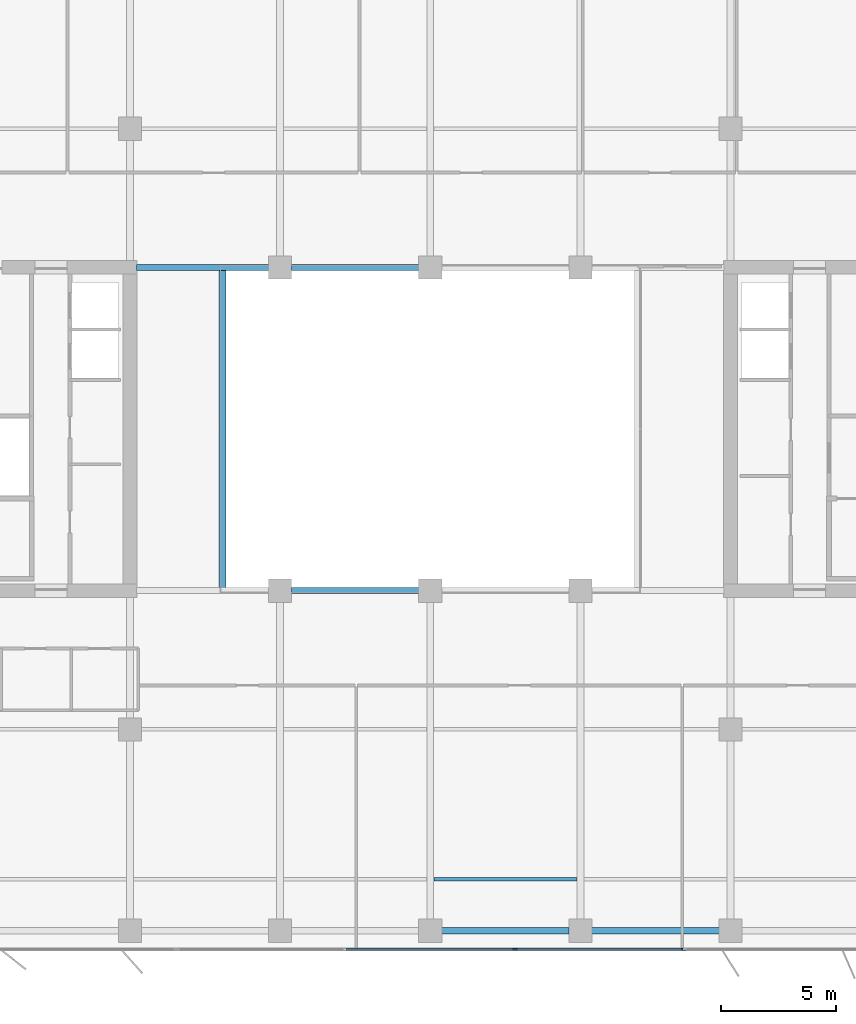
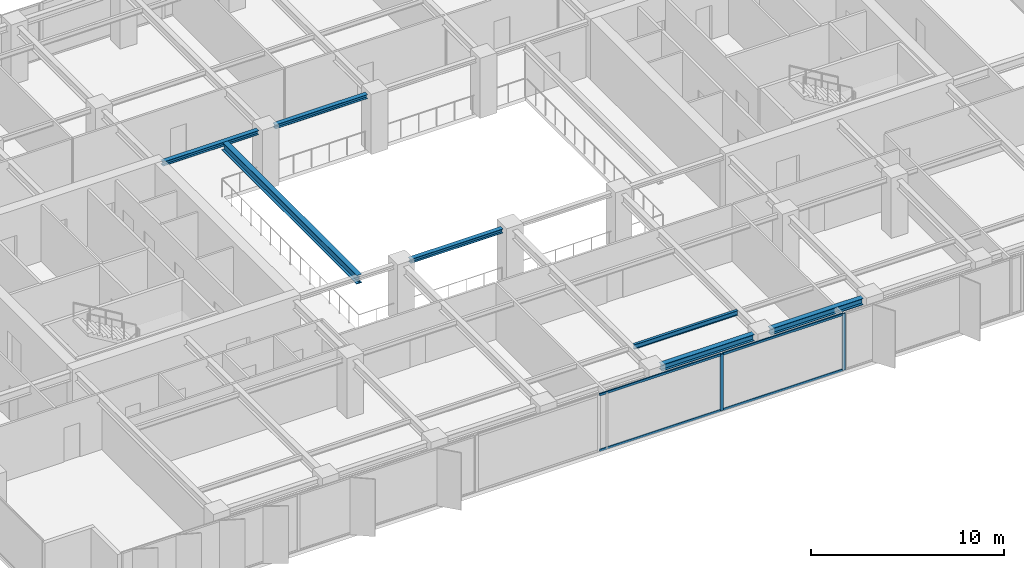
# One storey, part 5 of 22: 7 beams, 6 members, 1 element without a shape of its own.
"""IFC4 building model written with IfcOpenShell, lengths in metres."""

from ifc_helpers import new_model, si_unit, direction, frame, origin, origin_2d, place, context, subcontext, project, spatial, rectangle, i_section, extrude, material, layer, layer_set, material_profile, profile_set, type_object, element, aggregate, save


model = new_model("IFC4")

# Units and contexts
model_context = context("Model", 3, precision=1e-05, world=origin(), true_north=direction((0.0, 1.0)))
body_context = subcontext(model_context, "Body", "Model", "MODEL_VIEW")
ifc_project = project(units=[si_unit("LENGTHUNIT", "METRE"), si_unit("AREAUNIT", "SQUARE_METRE"), si_unit("VOLUMEUNIT", "CUBIC_METRE"), si_unit("PLANEANGLEUNIT", "RADIAN"), si_unit("MASSUNIT", "GRAM", prefix="KILO")], contexts=[model_context])

# Site, building, storey
site_placement = place(None, origin())
site = spatial("IfcSite", under=ifc_project, at=site_placement, CompositionType="ELEMENT")
building_placement = place(site_placement, origin())
building = spatial("IfcBuilding", under=site, at=building_placement, Name="Putna Gate Headquarters", CompositionType="ELEMENT")
storey_placement = place(building_placement, frame((0.0, 0.0, 151.800048828125)))
storey = spatial("IfcBuildingStorey", under=building, at=storey_placement, Name="L37", CompositionType="ELEMENT", Elevation=151.800048828125)

# Beams
ifc_material_1 = material(Name="Steel S355J2", Category="steel")
ifc_material_profile_1 = material_profile(ifc_material_1, i_section(OverallWidth=0.260009765625, OverallDepth=0.260009765625, WebThickness=0.010009765625, FlangeThickness=0.017578125, at=origin_2d()), Name="Steel S355J2")
ifc_profile_set_1 = profile_set([ifc_material_profile_1], Name="Steel S355J2")
beam_type_1 = type_object("IfcBeamType", Name="BM-ATRIUM-HEB260", PredefinedType="BEAM", material=ifc_profile_set_1)
beam_1_placement = place(storey_placement, frame((32.988037109375, 19.0, 3.44189453125), z_axis=(1.0, 0.0, 0.0), x_axis=(0.0, 1.0, 0.0)))
element("IfcBeam", 1, at=beam_1_placement, inside=storey, type_object=beam_type_1, Name="L37 Atrium Edge Beam AS2", PredefinedType="BEAM", context=body_context, shape_type="SweptSolid", body=[
    extrude(i_section(OverallWidth=0.260009765625, OverallDepth=0.260009765625, WebThickness=0.010009765625, FlangeThickness=0.017578125, at=origin_2d()), origin(), (0.0, 0.0, 1.0), 5.52392578125),
])
beam_2_placement = place(storey_placement, frame((26.284912109375, 33.0, 3.44189453125), z_axis=(1.0, 0.0, 0.0), x_axis=(0.0, 1.0, 0.0)))
element("IfcBeam", 2, at=beam_2_placement, inside=storey, type_object=beam_type_1, Name="L37 Atrium Edge Beam AN1", PredefinedType="BEAM", context=body_context, shape_type="SweptSolid", body=[
    extrude(i_section(OverallWidth=0.260009765625, OverallDepth=0.260009765625, WebThickness=0.010009765625, FlangeThickness=0.017578125, at=origin_2d()), origin(), (0.0, 0.0, 1.0), 5.72705078125),
])
beam_3_placement = place(storey_placement, frame((32.988037109375, 33.0, 3.44189453125), z_axis=(1.0, 0.0, 0.0), x_axis=(0.0, 1.0, 0.0)))
element("IfcBeam", 3, at=beam_3_placement, inside=storey, type_object=beam_type_1, Name="L37 Atrium Edge Beam AN2", PredefinedType="BEAM", context=body_context, shape_type="SweptSolid", body=[
    extrude(i_section(OverallWidth=0.260009765625, OverallDepth=0.260009765625, WebThickness=0.010009765625, FlangeThickness=0.017578125, at=origin_2d()), origin(), (0.0, 0.0, 1.0), 5.52392578125),
])
ifc_material_profile_2 = material_profile(ifc_material_1, i_section(OverallWidth=0.300048828125, OverallDepth=0.550048828125, WebThickness=0.014892578125, FlangeThickness=0.029052734375, at=origin_2d()), Name="Steel S355J2")
ifc_profile_set_2 = profile_set([ifc_material_profile_2], Name="Steel S355J2")
beam_type_2 = type_object("IfcBeamType", Name="BM-GIRD-Z3-HEB550", PredefinedType="USERDEFINED", material=ifc_profile_set_2)
beam_4_placement = place(storey_placement, frame((30.0, 19.010009765625, 3.296875), z_axis=(0.0, 1.0, 0.0), x_axis=(-1.0, 0.0, 0.0)))
element("IfcBeam", 4, at=beam_4_placement, inside=storey, type_object=beam_type_2, Name="L37 Atrium Trim Girder AW", ObjectType="GIRDER", PredefinedType="USERDEFINED", context=body_context, shape_type="SweptSolid", body=[
    extrude(i_section(OverallWidth=0.300048828125, OverallDepth=0.550048828125, WebThickness=0.014892578125, FlangeThickness=0.029052734375, at=origin_2d()), origin(), (0.0, 0.0, 1.0), 13.97998046875),
])
ifc_material_profile_3 = material_profile(ifc_material_1, i_section(OverallWidth=0.14990234375, OverallDepth=0.300048828125, WebThickness=0.007080078125, FlangeThickness=0.0107421875, at=origin_2d()), Name="Steel S355J2")
ifc_profile_set_3 = profile_set([ifc_material_profile_3], Name="Steel S355J2")
beam_type_3 = type_object("IfcBeamType", Name="BM-SEC-Z3-IPE300", PredefinedType="JOIST", material=ifc_profile_set_3)
beam_5_placement = place(storey_placement, frame((39.154052734375, 6.5, 3.421875), z_axis=(1.0, 0.0, 0.0), x_axis=(0.0, 1.0, 0.0)))
element("IfcBeam", 5, at=beam_5_placement, inside=storey, type_object=beam_type_3, Name="L37 South Secondary Beam 5", PredefinedType="JOIST", context=body_context, shape_type="SweptSolid", body=[
    extrude(i_section(OverallWidth=0.14990234375, OverallDepth=0.300048828125, WebThickness=0.007080078125, FlangeThickness=0.0107421875, at=origin_2d()), origin(), (0.0, 0.0, 1.0), 6.19189453125),
])
ifc_material_profile_4 = material_profile(ifc_material_1, i_section(OverallWidth=0.300048828125, OverallDepth=0.39990234375, WebThickness=0.013427734375, FlangeThickness=0.02392578125, at=origin_2d()), Name="Steel S355J2")
ifc_profile_set_4 = profile_set([ifc_material_profile_4], Name="Steel S355J2")
beam_type_4 = type_object("IfcBeamType", Name="BM-SPAN-Z3-HEB400", PredefinedType="SPANDREL", material=ifc_profile_set_4)
for number, where, z_axis, x_axis, name in (
    (6, (39.488037109375, 4.280029296875, 3.3720703125), (1.0, 0.0, 0.0), (0.0, 1.0, 0.0), "L37 S Perimeter Spandrel 5"),
    (7, (45.988037109375, 4.280029296875, 3.3720703125), (1.0, 0.0, 0.0), (0.0, 1.0, 0.0), "L37 S Perimeter Spandrel 6"),
):
    element("IfcBeam", number, at=place(storey_placement, frame(where, z_axis=z_axis, x_axis=x_axis)), inside=storey, type_object=beam_type_4, Name=name, PredefinedType="SPANDREL", context=body_context, shape_type="SweptSolid", body=[
        extrude(i_section(OverallWidth=0.300048828125, OverallDepth=0.39990234375, WebThickness=0.013427734375, FlangeThickness=0.02392578125, at=origin_2d()), origin(), (0.0, 0.0, 1.0), 5.52392578125),
    ])

# Curtain wall, members
ifc_material_2 = material(Name="Anodised bronze aluminium curtain wall", Category="aluminium")
ifc_layer = layer(ifc_material_2, 0.179931640625)
ifc_layer_set = layer_set([ifc_layer], Name="Anodised bronze aluminium curtain wall")
curtain_wall_type = type_object("IfcCurtainWallType", Name="CW-SYS-ATR", PredefinedType="USERDEFINED", material=ifc_layer_set)
curtain_wall_placement = place(storey_placement, origin())
curtain_wall = element("IfcCurtainWall", 8, at=curtain_wall_placement, inside=storey, type_object=curtain_wall_type, Name="L37 South Atrium Clear Glazing", ObjectType="ATRIUM GLAZING", PredefinedType="USERDEFINED")
ifc_material_3 = material(Name="Anodised bronze aluminium EN AW-6060", Category="aluminium")
ifc_material_profile_5 = material_profile(ifc_material_3, rectangle(XDim=0.070068359375, YDim=0.179931640625, at=origin_2d()), Name="Anodised bronze aluminium EN AW-6060")
ifc_profile_set_5 = profile_set([ifc_material_profile_5], Name="Anodised bronze aluminium EN AW-6060")
member_type_1 = type_object("IfcMemberType", Name="MULL-CWM-AT", PredefinedType="MULLION", material=ifc_profile_set_5)
member_1_placement = place(storey_placement, frame((42.666748046875, 3.47998046875, 0.0), z_axis=(0.0, 0.0, 1.0), x_axis=(0.0, 1.0, 0.0)))
member_1 = element("IfcMember", 9, at=member_1_placement, type_object=member_type_1, Name="CWS-AT mullion 3", PredefinedType="MULLION", context=body_context, shape_type="SweptSolid", body=[
    extrude(rectangle(XDim=0.070068359375, YDim=0.179931640625, at=origin_2d()), origin(), (0.0, 0.0, 1.0), 3.572021484375),
])
member_2_placement = place(storey_placement, frame((49.965087890625, 3.47998046875, 0.0), z_axis=(0.0, 0.0, 1.0), x_axis=(0.0, 1.0, 0.0)))
member_2 = element("IfcMember", 10, at=member_2_placement, type_object=member_type_1, Name="CWS-AT mullion 4", PredefinedType="MULLION", context=body_context, shape_type="SweptSolid", body=[
    extrude(rectangle(XDim=0.070068359375, YDim=0.179931640625, at=origin_2d()), origin(), (0.0, 0.0, 1.0), 3.572021484375),
])
ifc_material_profile_6 = material_profile(ifc_material_3, rectangle(XDim=0.070068359375, YDim=0.139892578125, at=origin_2d()), Name="Anodised bronze aluminium EN AW-6060")
ifc_profile_set_6 = profile_set([ifc_material_profile_6], Name="Anodised bronze aluminium EN AW-6060")
member_type_2 = type_object("IfcMemberType", Name="TRAN-CWT-AT", PredefinedType="USERDEFINED", material=ifc_profile_set_6)
member_3_placement = place(storey_placement, frame((35.368408203125, 3.47998046875, 0.034912109375), z_axis=(1.0, 0.0, 0.0), x_axis=(0.0, 1.0, 0.0)))
member_3 = element("IfcMember", 11, at=member_3_placement, type_object=member_type_2, Name="CWS-AT transom 2.1", ObjectType="TRANSOM", PredefinedType="USERDEFINED", context=body_context, shape_type="SweptSolid", body=[
    extrude(rectangle(XDim=0.070068359375, YDim=0.139892578125, at=origin_2d()), origin(), (0.0, 0.0, 1.0), 7.26318359375),
])
member_4_placement = place(storey_placement, frame((35.368408203125, 3.47998046875, 3.536865234375), z_axis=(1.0, 0.0, 0.0), x_axis=(0.0, 1.0, 0.0)))
member_4 = element("IfcMember", 12, at=member_4_placement, type_object=member_type_2, Name="CWS-AT transom 2.2", ObjectType="TRANSOM", PredefinedType="USERDEFINED", context=body_context, shape_type="SweptSolid", body=[
    extrude(rectangle(XDim=0.070068359375, YDim=0.139892578125, at=origin_2d()), origin(), (0.0, 0.0, 1.0), 7.26318359375),
])
member_5_placement = place(storey_placement, frame((42.70166015625, 3.47998046875, 0.034912109375), z_axis=(1.0, 0.0, 0.0), x_axis=(0.0, 1.0, 0.0)))
member_5 = element("IfcMember", 13, at=member_5_placement, type_object=member_type_2, Name="CWS-AT transom 3.1", ObjectType="TRANSOM", PredefinedType="USERDEFINED", context=body_context, shape_type="SweptSolid", body=[
    extrude(rectangle(XDim=0.070068359375, YDim=0.139892578125, at=origin_2d()), origin(), (0.0, 0.0, 1.0), 7.228271484375),
])
member_6_placement = place(storey_placement, frame((42.70166015625, 3.47998046875, 3.536865234375), z_axis=(1.0, 0.0, 0.0), x_axis=(0.0, 1.0, 0.0)))
member_6 = element("IfcMember", 14, at=member_6_placement, type_object=member_type_2, Name="CWS-AT transom 3.2", ObjectType="TRANSOM", PredefinedType="USERDEFINED", context=body_context, shape_type="SweptSolid", body=[
    extrude(rectangle(XDim=0.070068359375, YDim=0.139892578125, at=origin_2d()), origin(), (0.0, 0.0, 1.0), 7.228271484375),
])
aggregate(curtain_wall, [member_1, member_2, member_3, member_4, member_5, member_6])

save(model, "model.ifc")
